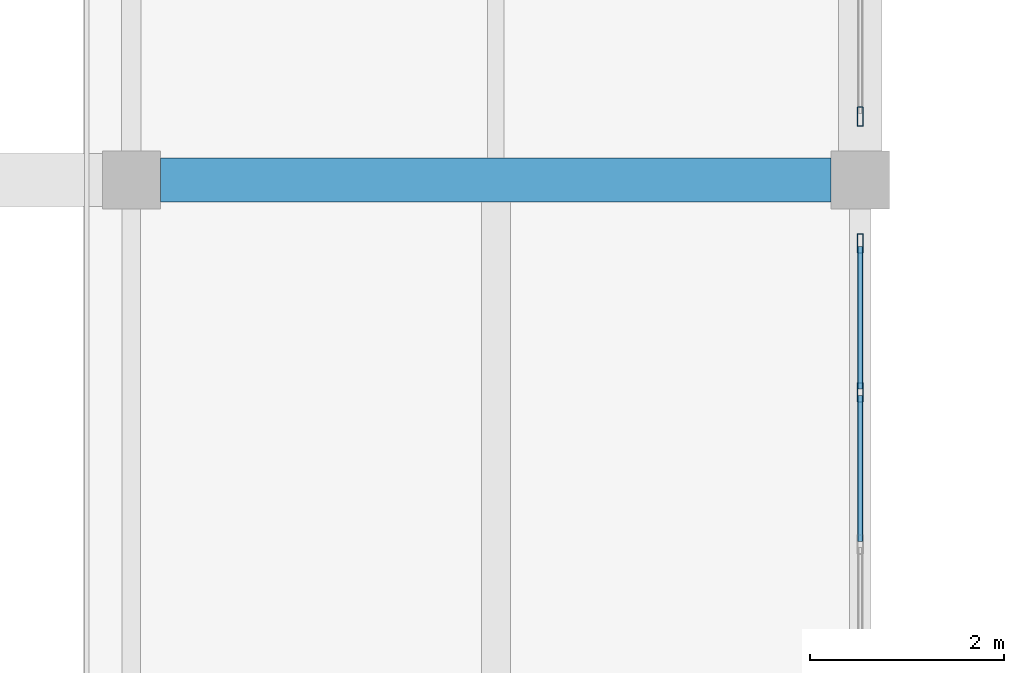
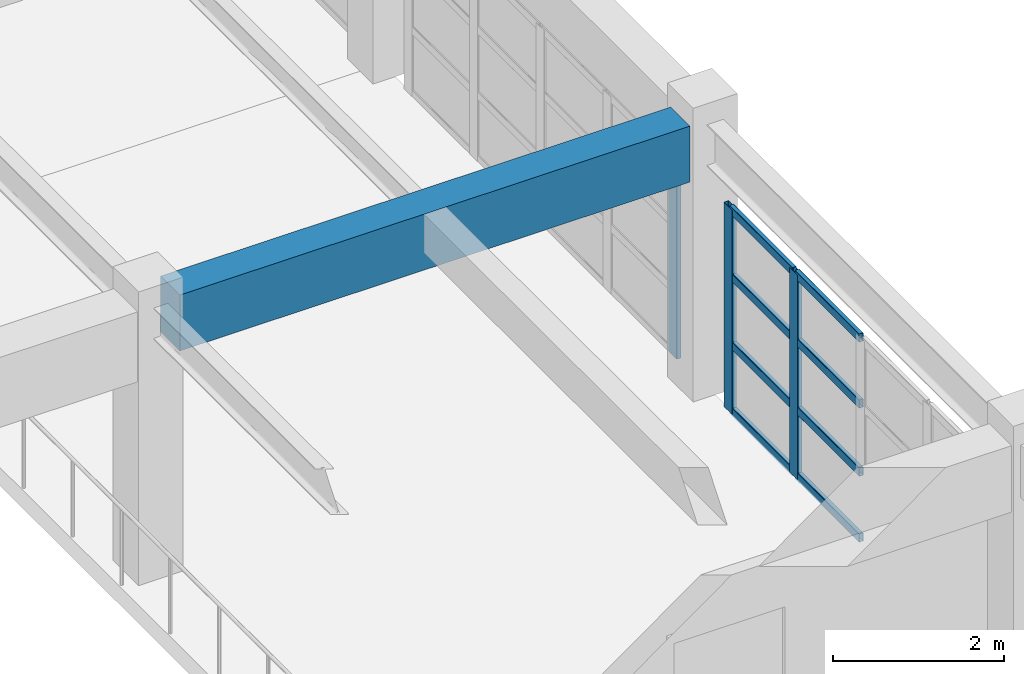
# One storey, part 8 of 124: 11 members, 1 beam, 2 elements without a shape of their own.
"""IFC4 building model written with IfcOpenShell, lengths in metres."""

from ifc_helpers import new_model, si_unit, direction, frame, origin, origin_2d, place, context, subcontext, project, spatial, rectangle, hollow_rectangle, extrude, material, material_profile, profile_set, type_object, element, aggregate, save


model = new_model("IFC4")

# Units and contexts
model_context = context("Model", 3, precision=1e-05, world=origin(), true_north=direction((0.0, 1.0)))
body_context = subcontext(model_context, "Body", "Model", "MODEL_VIEW")
ifc_project = project(units=[si_unit("LENGTHUNIT", "METRE"), si_unit("AREAUNIT", "SQUARE_METRE"), si_unit("VOLUMEUNIT", "CUBIC_METRE"), si_unit("PLANEANGLEUNIT", "RADIAN"), si_unit("MASSUNIT", "GRAM", prefix="KILO")], contexts=[model_context])

# Site, building, storey
site_placement = place(None, origin())
site = spatial("IfcSite", under=ifc_project, at=site_placement, CompositionType="ELEMENT")
building_placement = place(site_placement, origin())
building = spatial("IfcBuilding", under=site, at=building_placement, Name="Qasida Concert Hall", CompositionType="ELEMENT")
storey_placement = place(building_placement, frame((0.0, 0.0, 9.0)))
storey = spatial("IfcBuildingStorey", under=building, at=storey_placement, Name="L02", CompositionType="ELEMENT", Elevation=9.0)

# Beam
ifc_material_1 = material(Name="Concrete C40/50", Category="concrete")
ifc_material_profile_1 = material_profile(ifc_material_1, rectangle(XDim=0.449951171875, YDim=0.800048828125, at=origin_2d()), Name="RC 450x800")
ifc_profile_set_1 = profile_set([ifc_material_profile_1], Name="Concrete C40/50")
beam_type = type_object("IfcBeamType", Name="BM-G2", PredefinedType="USERDEFINED", material=ifc_profile_set_1)
beam_placement = place(storey_placement, frame((30.300048828125, 15.0, 3.5), z_axis=(1.0, 0.0, 0.0), x_axis=(0.0, 1.0, 0.0)))
element("IfcBeam", 1, at=beam_placement, inside=storey, type_object=beam_type, Name="Primary girder 1277", ObjectType="GIRDER", PredefinedType="USERDEFINED", context=body_context, shape_type="SweptSolid", body=[
    extrude(rectangle(XDim=0.449951171875, YDim=0.800048828125, at=origin_2d()), origin(), (0.0, 0.0, 1.0), 6.89990234375),
])

# Curtain wall, members
ifc_material_2 = material(Name="Architectural bronze-anodized aluminium and low-E glass", Category="aluminium")
curtain_wall_type = type_object("IfcCurtainWallType", Name="CW-08", PredefinedType="NOTDEFINED", material=ifc_material_2)
curtain_wall_1_placement = place(storey_placement, origin())
curtain_wall_1 = element("IfcCurtainWall", 2, at=curtain_wall_1_placement, inside=storey, type_object=curtain_wall_type, Name="L02 curtain wall CW-08 0111", PredefinedType="NOTDEFINED")
ifc_material_3 = material(Name="Architectural bronze-anodized aluminium EN AW-6063", Category="aluminium")
ifc_material_profile_2 = material_profile(ifc_material_3, hollow_rectangle(XDim=0.06494140625, YDim=0.199951171875, WallThickness=0.0048828125, InnerFilletRadius=0.0048828125, OuterFilletRadius=0.010009765625, at=origin_2d()), Name="CWM 200x65x5")
ifc_profile_set_2 = profile_set([ifc_material_profile_2], Name="Architectural bronze-anodized aluminium EN AW-6063")
member_type_1 = type_object("IfcMemberType", Name="MB-CWM-2", PredefinedType="MULLION", material=ifc_profile_set_2)
member_1_placement = place(storey_placement, frame((37.5, 12.81494140625, 0.0), z_axis=(0.0, 0.0, 1.0), x_axis=(-1.0, 0.0, 0.0)))
member_1 = element("IfcMember", 3, at=member_1_placement, type_object=member_type_1, Name="CW-08 mullion 4", PredefinedType="MULLION", context=body_context, shape_type="SweptSolid", body=[
    extrude(hollow_rectangle(XDim=0.06494140625, YDim=0.199951171875, WallThickness=0.0048828125, InnerFilletRadius=0.0048828125, OuterFilletRadius=0.010009765625, at=origin_2d()), origin(), (0.0, 0.0, 1.0), 2.919921875),
])
member_2_placement = place(storey_placement, frame((37.5, 14.347412109375, 0.0), z_axis=(0.0, 0.0, 1.0), x_axis=(-1.0, 0.0, 0.0)))
member_2 = element("IfcMember", 4, at=member_2_placement, type_object=member_type_1, Name="CW-08 mullion 5", PredefinedType="MULLION", context=body_context, shape_type="SweptSolid", body=[
    extrude(hollow_rectangle(XDim=0.06494140625, YDim=0.199951171875, WallThickness=0.0048828125, InnerFilletRadius=0.0048828125, OuterFilletRadius=0.010009765625, at=origin_2d()), origin(), (0.0, 0.0, 1.0), 2.919921875),
])

# Curtain wall, member
curtain_wall_2_placement = place(storey_placement, origin())
curtain_wall_2 = element("IfcCurtainWall", 5, at=curtain_wall_2_placement, inside=storey, type_object=curtain_wall_type, Name="L02 curtain wall CW-08 0112", PredefinedType="NOTDEFINED")
member_3_placement = place(storey_placement, frame((37.5, 15.652587890625, 0.0), z_axis=(0.0, 0.0, 1.0), x_axis=(-1.0, 0.0, 0.0)))
member_3 = element("IfcMember", 6, at=member_3_placement, type_object=member_type_1, Name="CW-08 mullion 1", PredefinedType="MULLION", context=body_context, shape_type="SweptSolid", body=[
    extrude(hollow_rectangle(XDim=0.06494140625, YDim=0.199951171875, WallThickness=0.0048828125, InnerFilletRadius=0.0048828125, OuterFilletRadius=0.010009765625, at=origin_2d()), origin(), (0.0, 0.0, 1.0), 2.820068359375),
])
aggregate(curtain_wall_2, [member_3])

# Member
ifc_material_profile_3 = material_profile(ifc_material_3, hollow_rectangle(XDim=0.06005859375, YDim=0.1201171875, WallThickness=0.00390625, InnerFilletRadius=0.00390625, OuterFilletRadius=0.008056640625, at=origin_2d()), Name="CWT 120x60x4")
ifc_profile_set_3 = profile_set([ifc_material_profile_3], Name="Architectural bronze-anodized aluminium EN AW-6063")
member_type_2 = type_object("IfcMemberType", Name="MB-CWT-2", PredefinedType="USERDEFINED", material=ifc_profile_set_3)
member_4_placement = place(storey_placement, frame((37.5, 11.282470703125, 0.030029296875), z_axis=(0.0, 1.0, 0.0), x_axis=(-1.0, 0.0, 0.0)))
member_4 = element("IfcMember", 7, at=member_4_placement, type_object=member_type_2, Name="CW-08 transom 3.1", ObjectType="TRANSOM", PredefinedType="USERDEFINED", context=body_context, shape_type="SweptSolid", body=[
    extrude(hollow_rectangle(XDim=0.06005859375, YDim=0.1201171875, WallThickness=0.00390625, InnerFilletRadius=0.00390625, OuterFilletRadius=0.008056640625, at=origin_2d()), origin(), (0.0, 0.0, 1.0), 1.5),
])

member_5_placement = place(storey_placement, frame((37.5, 11.282470703125, 0.973388671875), z_axis=(0.0, 1.0, 0.0), x_axis=(-1.0, 0.0, 0.0)))
member_5 = element("IfcMember", 8, at=member_5_placement, type_object=member_type_2, Name="CW-08 transom 3.2", ObjectType="TRANSOM", PredefinedType="USERDEFINED", context=body_context, shape_type="SweptSolid", body=[
    extrude(hollow_rectangle(XDim=0.06005859375, YDim=0.1201171875, WallThickness=0.00390625, InnerFilletRadius=0.00390625, OuterFilletRadius=0.008056640625, at=origin_2d()), origin(), (0.0, 0.0, 1.0), 1.5),
])

member_6_placement = place(storey_placement, frame((37.5, 11.282470703125, 1.94677734375), z_axis=(0.0, 1.0, 0.0), x_axis=(-1.0, 0.0, 0.0)))
member_6 = element("IfcMember", 9, at=member_6_placement, type_object=member_type_2, Name="CW-08 transom 3.3", ObjectType="TRANSOM", PredefinedType="USERDEFINED", context=body_context, shape_type="SweptSolid", body=[
    extrude(hollow_rectangle(XDim=0.06005859375, YDim=0.1201171875, WallThickness=0.00390625, InnerFilletRadius=0.00390625, OuterFilletRadius=0.008056640625, at=origin_2d()), origin(), (0.0, 0.0, 1.0), 1.5),
])

member_7_placement = place(storey_placement, frame((37.5, 11.282470703125, 2.889892578125), z_axis=(0.0, 1.0, 0.0), x_axis=(-1.0, 0.0, 0.0)))
member_7 = element("IfcMember", 10, at=member_7_placement, type_object=member_type_2, Name="CW-08 transom 3.4", ObjectType="TRANSOM", PredefinedType="USERDEFINED", context=body_context, shape_type="SweptSolid", body=[
    extrude(hollow_rectangle(XDim=0.06005859375, YDim=0.1201171875, WallThickness=0.00390625, InnerFilletRadius=0.00390625, OuterFilletRadius=0.008056640625, at=origin_2d()), origin(), (0.0, 0.0, 1.0), 1.5),
])

member_8_placement = place(storey_placement, frame((37.5, 12.847412109375, 0.030029296875), z_axis=(0.0, 1.0, 0.0), x_axis=(-1.0, 0.0, 0.0)))
member_8 = element("IfcMember", 11, at=member_8_placement, type_object=member_type_2, Name="CW-08 transom 4.1", ObjectType="TRANSOM", PredefinedType="USERDEFINED", context=body_context, shape_type="SweptSolid", body=[
    extrude(hollow_rectangle(XDim=0.06005859375, YDim=0.1201171875, WallThickness=0.00390625, InnerFilletRadius=0.00390625, OuterFilletRadius=0.008056640625, at=origin_2d()), origin(), (0.0, 0.0, 1.0), 1.467529296875),
])

member_9_placement = place(storey_placement, frame((37.5, 12.847412109375, 0.973388671875), z_axis=(0.0, 1.0, 0.0), x_axis=(-1.0, 0.0, 0.0)))
member_9 = element("IfcMember", 12, at=member_9_placement, type_object=member_type_2, Name="CW-08 transom 4.2", ObjectType="TRANSOM", PredefinedType="USERDEFINED", context=body_context, shape_type="SweptSolid", body=[
    extrude(hollow_rectangle(XDim=0.06005859375, YDim=0.1201171875, WallThickness=0.00390625, InnerFilletRadius=0.00390625, OuterFilletRadius=0.008056640625, at=origin_2d()), origin(), (0.0, 0.0, 1.0), 1.467529296875),
])

member_10_placement = place(storey_placement, frame((37.5, 12.847412109375, 1.94677734375), z_axis=(0.0, 1.0, 0.0), x_axis=(-1.0, 0.0, 0.0)))
member_10 = element("IfcMember", 13, at=member_10_placement, type_object=member_type_2, Name="CW-08 transom 4.3", ObjectType="TRANSOM", PredefinedType="USERDEFINED", context=body_context, shape_type="SweptSolid", body=[
    extrude(hollow_rectangle(XDim=0.06005859375, YDim=0.1201171875, WallThickness=0.00390625, InnerFilletRadius=0.00390625, OuterFilletRadius=0.008056640625, at=origin_2d()), origin(), (0.0, 0.0, 1.0), 1.467529296875),
])

member_11_placement = place(storey_placement, frame((37.5, 12.847412109375, 2.889892578125), z_axis=(0.0, 1.0, 0.0), x_axis=(-1.0, 0.0, 0.0)))
member_11 = element("IfcMember", 14, at=member_11_placement, type_object=member_type_2, Name="CW-08 transom 4.4", ObjectType="TRANSOM", PredefinedType="USERDEFINED", context=body_context, shape_type="SweptSolid", body=[
    extrude(hollow_rectangle(XDim=0.06005859375, YDim=0.1201171875, WallThickness=0.00390625, InnerFilletRadius=0.00390625, OuterFilletRadius=0.008056640625, at=origin_2d()), origin(), (0.0, 0.0, 1.0), 1.467529296875),
])

aggregate(curtain_wall_1, [member_1, member_2, member_4, member_5, member_6, member_7, member_8, member_9, member_10, member_11])

save(model, "model.ifc")
